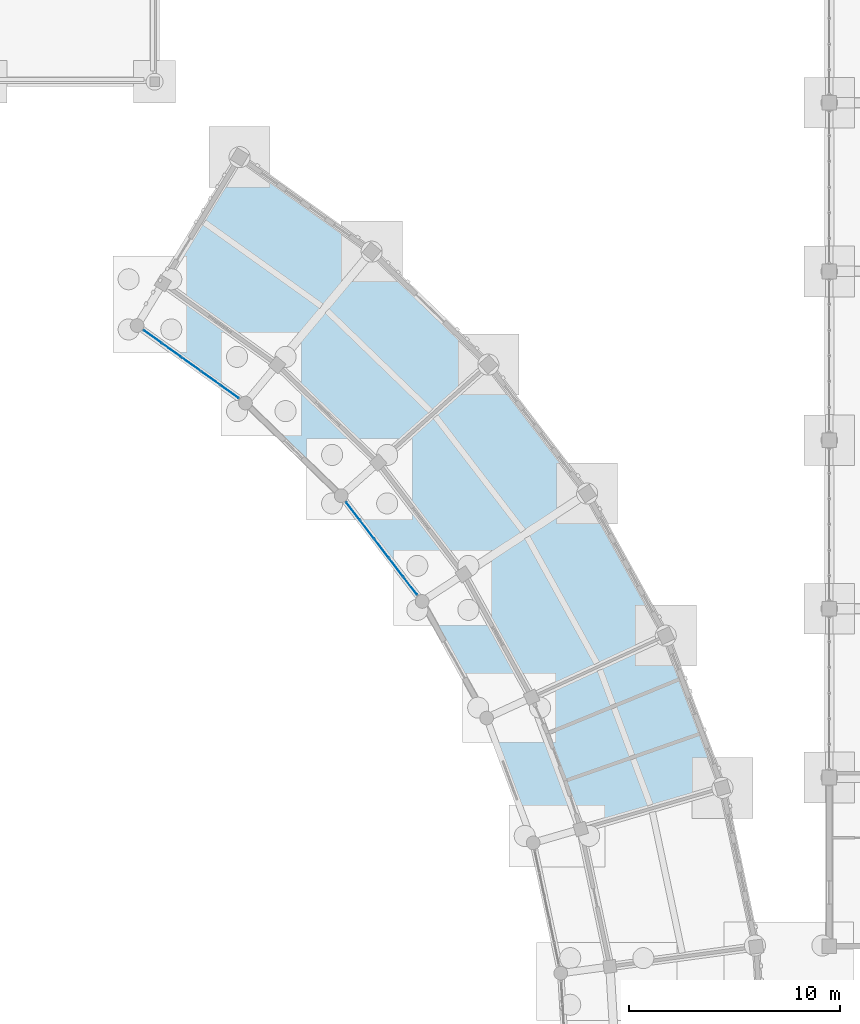
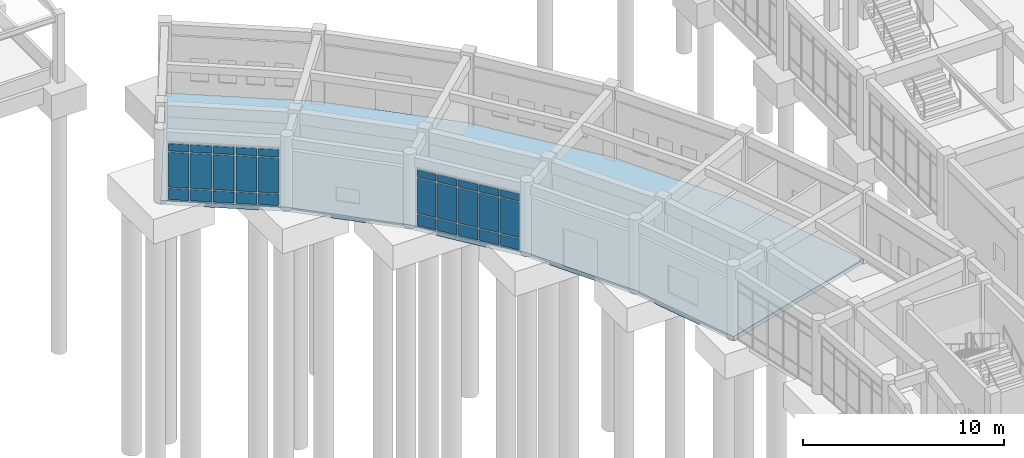
# One storey, part 110 of 153: 30 plates, 1 slab, 2 elements without a shape of their own.
"""IFC4 building model written with IfcOpenShell, lengths in metres."""

from ifc_helpers import new_model, si_unit, direction, frame, origin, origin_2d, place, context, subcontext, project, spatial, polyline, rectangle, outline, extrude, material, layer, layer_set, type_object, element, aggregate, save


model = new_model("IFC4")

# Units and contexts
model_context = context("Model", 3, precision=1e-05, world=origin(), true_north=direction((0.0, 1.0)))
body_context = subcontext(model_context, "Body", "Model", "MODEL_VIEW")
ifc_project = project(units=[si_unit("LENGTHUNIT", "METRE"), si_unit("AREAUNIT", "SQUARE_METRE"), si_unit("VOLUMEUNIT", "CUBIC_METRE"), si_unit("PLANEANGLEUNIT", "RADIAN"), si_unit("MASSUNIT", "GRAM", prefix="KILO")], contexts=[model_context])

# Site, building, storey
site_placement = place(None, origin())
site = spatial("IfcSite", under=ifc_project, at=site_placement, CompositionType="ELEMENT")
building_placement = place(site_placement, origin())
building = spatial("IfcBuilding", under=site, at=building_placement, Name="Celadon Cloister-Ring School", CompositionType="ELEMENT")
storey_placement = place(building_placement, origin())
storey = spatial("IfcBuildingStorey", under=building, at=storey_placement, Name="L00", CompositionType="ELEMENT", Elevation=0.0)

# Curtain wall, plates
ifc_material_1 = material(Name="Aluminium EN AW-6063 T6", Category="aluminium")
curtain_wall_type = type_object("IfcCurtainWallType", Name="CW-01", PredefinedType="USERDEFINED", material=ifc_material_1)
curtain_wall_1_placement = place(storey_placement, origin())
curtain_wall_1 = element("IfcCurtainWall", 1, at=curtain_wall_1_placement, inside=storey, type_object=curtain_wall_type, Name="Curtain Wall 0019", ObjectType="CURTAIN WALL", PredefinedType="USERDEFINED")
ifc_material_2 = material(Name="Tempered laminated insulating glass", Category="glass")
ifc_layer_1 = layer(ifc_material_2, 0.028076171875)
ifc_layer_set_1 = layer_set([ifc_layer_1], Name="Tempered laminated insulating glass")
plate_type = type_object("IfcPlateType", Name="CPN-02", PredefinedType="CURTAIN_PANEL", material=ifc_layer_set_1)
plate_1_placement = place(storey_placement, frame((122.13623046875, 83.072998046875, 0.074951171875), z_axis=(0.0, 0.0, 1.0), x_axis=(-0.607875738699, 0.794032169563, 0.0)))
plate_1 = element("IfcPlate", 2, at=plate_1_placement, type_object=plate_type, Name="CW-01 panel 1.1", PredefinedType="CURTAIN_PANEL", context=body_context, shape_type="SweptSolid", body=[
    extrude(rectangle(XDim=1.013427734375, YDim=0.028076171875, at=origin_2d()), origin(), (0.0, 0.0, 1.0), 0.6875),
])
plate_2_placement = place(storey_placement, frame((122.13623046875, 83.072998046875, 0.83740234375), z_axis=(0.0, 0.0, 1.0), x_axis=(-0.607875738699, 0.794032169563, 0.0)))
plate_2 = element("IfcPlate", 3, at=plate_2_placement, type_object=plate_type, Name="CW-01 panel 1.2", PredefinedType="CURTAIN_PANEL", context=body_context, shape_type="SweptSolid", body=[
    extrude(rectangle(XDim=1.013427734375, YDim=0.028076171875, at=origin_2d()), origin(), (0.0, 0.0, 1.0), 2.125),
])
plate_3_placement = place(storey_placement, frame((122.13623046875, 83.072998046875, 3.03759765625), z_axis=(0.0, 0.0, 1.0), x_axis=(-0.607875738699, 0.794032169563, 0.0)))
plate_3 = element("IfcPlate", 4, at=plate_3_placement, type_object=plate_type, Name="CW-01 panel 1.3", PredefinedType="CURTAIN_PANEL", context=body_context, shape_type="SweptSolid", body=[
    extrude(rectangle(XDim=1.013427734375, YDim=0.028076171875, at=origin_2d()), origin(), (0.0, 0.0, 1.0), 0.4375),
])
plate_4_placement = place(storey_placement, frame((121.45947265625, 83.95703125, 0.074951171875), z_axis=(0.0, 0.0, 1.0), x_axis=(-0.607875738699, 0.794032169563, 0.0)))
plate_4 = element("IfcPlate", 5, at=plate_4_placement, type_object=plate_type, Name="CW-01 panel 2.1", PredefinedType="CURTAIN_PANEL", context=body_context, shape_type="SweptSolid", body=[
    extrude(rectangle(XDim=1.053466796875, YDim=0.028076171875, at=origin_2d()), origin(), (0.0, 0.0, 1.0), 0.6875),
])
plate_5_placement = place(storey_placement, frame((121.45947265625, 83.95703125, 0.83740234375), z_axis=(0.0, 0.0, 1.0), x_axis=(-0.607875738699, 0.794032169563, 0.0)))
plate_5 = element("IfcPlate", 6, at=plate_5_placement, type_object=plate_type, Name="CW-01 panel 2.2", PredefinedType="CURTAIN_PANEL", context=body_context, shape_type="SweptSolid", body=[
    extrude(rectangle(XDim=1.053466796875, YDim=0.028076171875, at=origin_2d()), origin(), (0.0, 0.0, 1.0), 2.125),
])
plate_6_placement = place(storey_placement, frame((121.45947265625, 83.95703125, 3.03759765625), z_axis=(0.0, 0.0, 1.0), x_axis=(-0.607875738699, 0.794032169563, 0.0)))
plate_6 = element("IfcPlate", 7, at=plate_6_placement, type_object=plate_type, Name="CW-01 panel 2.3", PredefinedType="CURTAIN_PANEL", context=body_context, shape_type="SweptSolid", body=[
    extrude(rectangle(XDim=1.053466796875, YDim=0.028076171875, at=origin_2d()), origin(), (0.0, 0.0, 1.0), 0.4375),
])
plate_7_placement = place(storey_placement, frame((120.7705078125, 84.85693359375, 0.074951171875), z_axis=(0.0, 0.0, 1.0), x_axis=(-0.607875738699, 0.794032169563, 0.0)))
plate_7 = element("IfcPlate", 8, at=plate_7_placement, type_object=plate_type, Name="CW-01 panel 3.1", PredefinedType="CURTAIN_PANEL", context=body_context, shape_type="SweptSolid", body=[
    extrude(rectangle(XDim=1.053466796875, YDim=0.028076171875, at=origin_2d()), origin(), (0.0, 0.0, 1.0), 0.6875),
])
plate_8_placement = place(storey_placement, frame((120.7705078125, 84.85693359375, 0.83740234375), z_axis=(0.0, 0.0, 1.0), x_axis=(-0.607875738699, 0.794032169563, 0.0)))
plate_8 = element("IfcPlate", 9, at=plate_8_placement, type_object=plate_type, Name="CW-01 panel 3.2", PredefinedType="CURTAIN_PANEL", context=body_context, shape_type="SweptSolid", body=[
    extrude(rectangle(XDim=1.053466796875, YDim=0.028076171875, at=origin_2d()), origin(), (0.0, 0.0, 1.0), 2.125),
])
plate_9_placement = place(storey_placement, frame((120.7705078125, 84.85693359375, 3.03759765625), z_axis=(0.0, 0.0, 1.0), x_axis=(-0.607875738699, 0.794032169563, 0.0)))
plate_9 = element("IfcPlate", 10, at=plate_9_placement, type_object=plate_type, Name="CW-01 panel 3.3", PredefinedType="CURTAIN_PANEL", context=body_context, shape_type="SweptSolid", body=[
    extrude(rectangle(XDim=1.053466796875, YDim=0.028076171875, at=origin_2d()), origin(), (0.0, 0.0, 1.0), 0.4375),
])
plate_10_placement = place(storey_placement, frame((120.08154296875, 85.757080078125, 0.074951171875), z_axis=(0.0, 0.0, 1.0), x_axis=(-0.607875738699, 0.794032169563, 0.0)))
plate_10 = element("IfcPlate", 11, at=plate_10_placement, type_object=plate_type, Name="CW-01 panel 4.1", PredefinedType="CURTAIN_PANEL", context=body_context, shape_type="SweptSolid", body=[
    extrude(rectangle(XDim=1.053466796875, YDim=0.028076171875, at=origin_2d()), origin(), (0.0, 0.0, 1.0), 0.6875),
])
plate_11_placement = place(storey_placement, frame((120.08154296875, 85.757080078125, 0.83740234375), z_axis=(0.0, 0.0, 1.0), x_axis=(-0.607875738699, 0.794032169563, 0.0)))
plate_11 = element("IfcPlate", 12, at=plate_11_placement, type_object=plate_type, Name="CW-01 panel 4.2", PredefinedType="CURTAIN_PANEL", context=body_context, shape_type="SweptSolid", body=[
    extrude(rectangle(XDim=1.053466796875, YDim=0.028076171875, at=origin_2d()), origin(), (0.0, 0.0, 1.0), 2.125),
])
plate_12_placement = place(storey_placement, frame((120.08154296875, 85.757080078125, 3.03759765625), z_axis=(0.0, 0.0, 1.0), x_axis=(-0.607875738699, 0.794032169563, 0.0)))
plate_12 = element("IfcPlate", 13, at=plate_12_placement, type_object=plate_type, Name="CW-01 panel 4.3", PredefinedType="CURTAIN_PANEL", context=body_context, shape_type="SweptSolid", body=[
    extrude(rectangle(XDim=1.053466796875, YDim=0.028076171875, at=origin_2d()), origin(), (0.0, 0.0, 1.0), 0.4375),
])
plate_13_placement = place(storey_placement, frame((119.404541015625, 86.64111328125, 0.074951171875), z_axis=(0.0, 0.0, 1.0), x_axis=(-0.607875738699, 0.794032169563, 0.0)))
plate_13 = element("IfcPlate", 14, at=plate_13_placement, type_object=plate_type, Name="CW-01 panel 5.1", PredefinedType="CURTAIN_PANEL", context=body_context, shape_type="SweptSolid", body=[
    extrude(rectangle(XDim=1.013427734375, YDim=0.028076171875, at=origin_2d()), origin(), (0.0, 0.0, 1.0), 0.6875),
])
plate_14_placement = place(storey_placement, frame((119.404541015625, 86.64111328125, 0.83740234375), z_axis=(0.0, 0.0, 1.0), x_axis=(-0.607875738699, 0.794032169563, 0.0)))
plate_14 = element("IfcPlate", 15, at=plate_14_placement, type_object=plate_type, Name="CW-01 panel 5.2", PredefinedType="CURTAIN_PANEL", context=body_context, shape_type="SweptSolid", body=[
    extrude(rectangle(XDim=1.013427734375, YDim=0.028076171875, at=origin_2d()), origin(), (0.0, 0.0, 1.0), 2.125),
])
plate_15_placement = place(storey_placement, frame((119.404541015625, 86.64111328125, 3.03759765625), z_axis=(0.0, 0.0, 1.0), x_axis=(-0.607875738699, 0.794032169563, 0.0)))
plate_15 = element("IfcPlate", 16, at=plate_15_placement, type_object=plate_type, Name="CW-01 panel 5.3", PredefinedType="CURTAIN_PANEL", context=body_context, shape_type="SweptSolid", body=[
    extrude(rectangle(XDim=1.013427734375, YDim=0.028076171875, at=origin_2d()), origin(), (0.0, 0.0, 1.0), 0.4375),
])
aggregate(curtain_wall_1, [plate_1, plate_2, plate_3, plate_4, plate_5, plate_6, plate_7, plate_8, plate_9, plate_10, plate_11, plate_12, plate_13, plate_14, plate_15])

curtain_wall_2_placement = place(storey_placement, origin())
curtain_wall_2 = element("IfcCurtainWall", 17, at=curtain_wall_2_placement, inside=storey, type_object=curtain_wall_type, Name="Curtain Wall 0020", ObjectType="CURTAIN WALL", PredefinedType="USERDEFINED")
plate_16_placement = place(storey_placement, frame((113.568603515625, 92.290283203125, 0.074951171875), z_axis=(0.0, 0.0, 1.0), x_axis=(-0.813506963862, 0.581555173434, 0.0)))
plate_16 = element("IfcPlate", 18, at=plate_16_placement, type_object=plate_type, Name="CW-01 panel 1.1", PredefinedType="CURTAIN_PANEL", context=body_context, shape_type="SweptSolid", body=[
    extrude(rectangle(XDim=1.013916015625, YDim=0.028076171875, at=origin_2d()), origin(), (0.0, 0.0, 1.0), 0.6875),
])
plate_17_placement = place(storey_placement, frame((113.568603515625, 92.290283203125, 0.83740234375), z_axis=(0.0, 0.0, 1.0), x_axis=(-0.813506963862, 0.581555173434, 0.0)))
plate_17 = element("IfcPlate", 19, at=plate_17_placement, type_object=plate_type, Name="CW-01 panel 1.2", PredefinedType="CURTAIN_PANEL", context=body_context, shape_type="SweptSolid", body=[
    extrude(rectangle(XDim=1.013916015625, YDim=0.028076171875, at=origin_2d()), origin(), (0.0, 0.0, 1.0), 2.125),
])
plate_18_placement = place(storey_placement, frame((113.568603515625, 92.290283203125, 3.03759765625), z_axis=(0.0, 0.0, 1.0), x_axis=(-0.813506963862, 0.581555173434, 0.0)))
plate_18 = element("IfcPlate", 20, at=plate_18_placement, type_object=plate_type, Name="CW-01 panel 1.3", PredefinedType="CURTAIN_PANEL", context=body_context, shape_type="SweptSolid", body=[
    extrude(rectangle(XDim=1.013916015625, YDim=0.028076171875, at=origin_2d()), origin(), (0.0, 0.0, 1.0), 0.4375),
])
plate_19_placement = place(storey_placement, frame((112.662353515625, 92.93798828125, 0.074951171875), z_axis=(0.0, 0.0, 1.0), x_axis=(-0.813506963862, 0.581555173434, 0.0)))
plate_19 = element("IfcPlate", 21, at=plate_19_placement, type_object=plate_type, Name="CW-01 panel 2.1", PredefinedType="CURTAIN_PANEL", context=body_context, shape_type="SweptSolid", body=[
    extrude(rectangle(XDim=1.053955078125, YDim=0.028076171875, at=origin_2d()), origin(), (0.0, 0.0, 1.0), 0.6875),
])
plate_20_placement = place(storey_placement, frame((112.662353515625, 92.93798828125, 0.83740234375), z_axis=(0.0, 0.0, 1.0), x_axis=(-0.813506963862, 0.581555173434, 0.0)))
plate_20 = element("IfcPlate", 22, at=plate_20_placement, type_object=plate_type, Name="CW-01 panel 2.2", PredefinedType="CURTAIN_PANEL", context=body_context, shape_type="SweptSolid", body=[
    extrude(rectangle(XDim=1.053955078125, YDim=0.028076171875, at=origin_2d()), origin(), (0.0, 0.0, 1.0), 2.125),
])
plate_21_placement = place(storey_placement, frame((112.662353515625, 92.93798828125, 3.03759765625), z_axis=(0.0, 0.0, 1.0), x_axis=(-0.813506963862, 0.581555173434, 0.0)))
plate_21 = element("IfcPlate", 23, at=plate_21_placement, type_object=plate_type, Name="CW-01 panel 2.3", PredefinedType="CURTAIN_PANEL", context=body_context, shape_type="SweptSolid", body=[
    extrude(rectangle(XDim=1.053955078125, YDim=0.028076171875, at=origin_2d()), origin(), (0.0, 0.0, 1.0), 0.4375),
])
plate_22_placement = place(storey_placement, frame((111.739990234375, 93.597412109375, 0.074951171875), z_axis=(0.0, 0.0, 1.0), x_axis=(-0.813506963862, 0.581555173434, 0.0)))
plate_22 = element("IfcPlate", 24, at=plate_22_placement, type_object=plate_type, Name="CW-01 panel 3.1", PredefinedType="CURTAIN_PANEL", context=body_context, shape_type="SweptSolid", body=[
    extrude(rectangle(XDim=1.053955078125, YDim=0.028076171875, at=origin_2d()), origin(), (0.0, 0.0, 1.0), 0.6875),
])
plate_23_placement = place(storey_placement, frame((111.739990234375, 93.597412109375, 0.83740234375), z_axis=(0.0, 0.0, 1.0), x_axis=(-0.813506963862, 0.581555173434, 0.0)))
plate_23 = element("IfcPlate", 25, at=plate_23_placement, type_object=plate_type, Name="CW-01 panel 3.2", PredefinedType="CURTAIN_PANEL", context=body_context, shape_type="SweptSolid", body=[
    extrude(rectangle(XDim=1.053955078125, YDim=0.028076171875, at=origin_2d()), origin(), (0.0, 0.0, 1.0), 2.125),
])
plate_24_placement = place(storey_placement, frame((111.739990234375, 93.597412109375, 3.03759765625), z_axis=(0.0, 0.0, 1.0), x_axis=(-0.813506963862, 0.581555173434, 0.0)))
plate_24 = element("IfcPlate", 26, at=plate_24_placement, type_object=plate_type, Name="CW-01 panel 3.3", PredefinedType="CURTAIN_PANEL", context=body_context, shape_type="SweptSolid", body=[
    extrude(rectangle(XDim=1.053955078125, YDim=0.028076171875, at=origin_2d()), origin(), (0.0, 0.0, 1.0), 0.4375),
])
plate_25_placement = place(storey_placement, frame((110.817626953125, 94.2568359375, 0.074951171875), z_axis=(0.0, 0.0, 1.0), x_axis=(-0.813506963862, 0.581555173434, 0.0)))
plate_25 = element("IfcPlate", 27, at=plate_25_placement, type_object=plate_type, Name="CW-01 panel 4.1", PredefinedType="CURTAIN_PANEL", context=body_context, shape_type="SweptSolid", body=[
    extrude(rectangle(XDim=1.053955078125, YDim=0.028076171875, at=origin_2d()), origin(), (0.0, 0.0, 1.0), 0.6875),
])
plate_26_placement = place(storey_placement, frame((110.817626953125, 94.2568359375, 0.83740234375), z_axis=(0.0, 0.0, 1.0), x_axis=(-0.813506963862, 0.581555173434, 0.0)))
plate_26 = element("IfcPlate", 28, at=plate_26_placement, type_object=plate_type, Name="CW-01 panel 4.2", PredefinedType="CURTAIN_PANEL", context=body_context, shape_type="SweptSolid", body=[
    extrude(rectangle(XDim=1.053955078125, YDim=0.028076171875, at=origin_2d()), origin(), (0.0, 0.0, 1.0), 2.125),
])
plate_27_placement = place(storey_placement, frame((110.817626953125, 94.2568359375, 3.03759765625), z_axis=(0.0, 0.0, 1.0), x_axis=(-0.813506963862, 0.581555173434, 0.0)))
plate_27 = element("IfcPlate", 29, at=plate_27_placement, type_object=plate_type, Name="CW-01 panel 4.3", PredefinedType="CURTAIN_PANEL", context=body_context, shape_type="SweptSolid", body=[
    extrude(rectangle(XDim=1.053955078125, YDim=0.028076171875, at=origin_2d()), origin(), (0.0, 0.0, 1.0), 0.4375),
])
plate_28_placement = place(storey_placement, frame((109.911376953125, 94.90478515625, 0.074951171875), z_axis=(0.0, 0.0, 1.0), x_axis=(-0.813506963862, 0.581555173434, 0.0)))
plate_28 = element("IfcPlate", 30, at=plate_28_placement, type_object=plate_type, Name="CW-01 panel 5.1", PredefinedType="CURTAIN_PANEL", context=body_context, shape_type="SweptSolid", body=[
    extrude(rectangle(XDim=1.013916015625, YDim=0.028076171875, at=origin_2d()), origin(), (0.0, 0.0, 1.0), 0.6875),
])
plate_29_placement = place(storey_placement, frame((109.911376953125, 94.90478515625, 0.83740234375), z_axis=(0.0, 0.0, 1.0), x_axis=(-0.813506963862, 0.581555173434, 0.0)))
plate_29 = element("IfcPlate", 31, at=plate_29_placement, type_object=plate_type, Name="CW-01 panel 5.2", PredefinedType="CURTAIN_PANEL", context=body_context, shape_type="SweptSolid", body=[
    extrude(rectangle(XDim=1.013916015625, YDim=0.028076171875, at=origin_2d()), origin(), (0.0, 0.0, 1.0), 2.125),
])
plate_30_placement = place(storey_placement, frame((109.911376953125, 94.90478515625, 3.03759765625), z_axis=(0.0, 0.0, 1.0), x_axis=(-0.813506963862, 0.581555173434, 0.0)))
plate_30 = element("IfcPlate", 32, at=plate_30_placement, type_object=plate_type, Name="CW-01 panel 5.3", PredefinedType="CURTAIN_PANEL", context=body_context, shape_type="SweptSolid", body=[
    extrude(rectangle(XDim=1.013916015625, YDim=0.028076171875, at=origin_2d()), origin(), (0.0, 0.0, 1.0), 0.4375),
])
aggregate(curtain_wall_2, [plate_16, plate_17, plate_18, plate_19, plate_20, plate_21, plate_22, plate_23, plate_24, plate_25, plate_26, plate_27, plate_28, plate_29, plate_30])

# Slab
ifc_material_3 = material(Name="Concrete C35/45", Category="concrete")
ifc_layer_2 = layer(ifc_material_3, 0.260009765625)
ifc_layer_set_2 = layer_set([ifc_layer_2], Name="Concrete C35/45")
slab_type = type_object("IfcSlabType", Name="SL-BS1", PredefinedType="BASESLAB", material=ifc_layer_set_2)
slab_placement = place(storey_placement, frame((0.0, 0.0, -0.260009765625)))
element("IfcSlab", 33, at=slab_placement, inside=storey, type_object=slab_type, Name="Ring L00 Sector 0007", PredefinedType="BASESLAB", context=body_context, shape_type="SweptSolid", body=[
    extrude(outline(polyline([(136.93505859375, 73.508056640625), (134.243896484375, 80.72607421875), (130.51611328125, 87.467041015625), (125.83203125, 93.583984375), (120.297119140625, 98.94091796875), (114.031005859375, 103.422119140625), (109.169921875, 95.43505859375), (114.31005859375, 91.760009765625), (118.85009765625, 87.364990234375), (122.69091796875, 82.34912109375), (125.7490234375, 76.819091796875), (127.95703125, 70.89892578125), (136.93505859375, 73.508056640625)])), origin(), (0.0, 0.0, 1.0), 0.260009765625),
])

save(model, "model.ifc")
